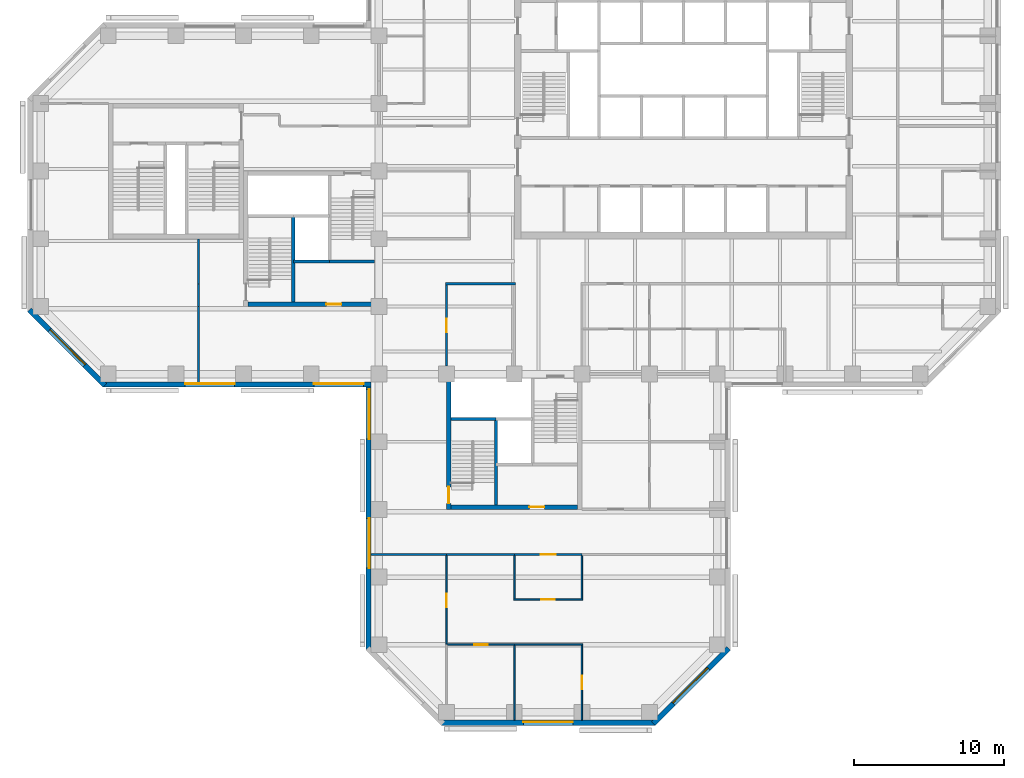
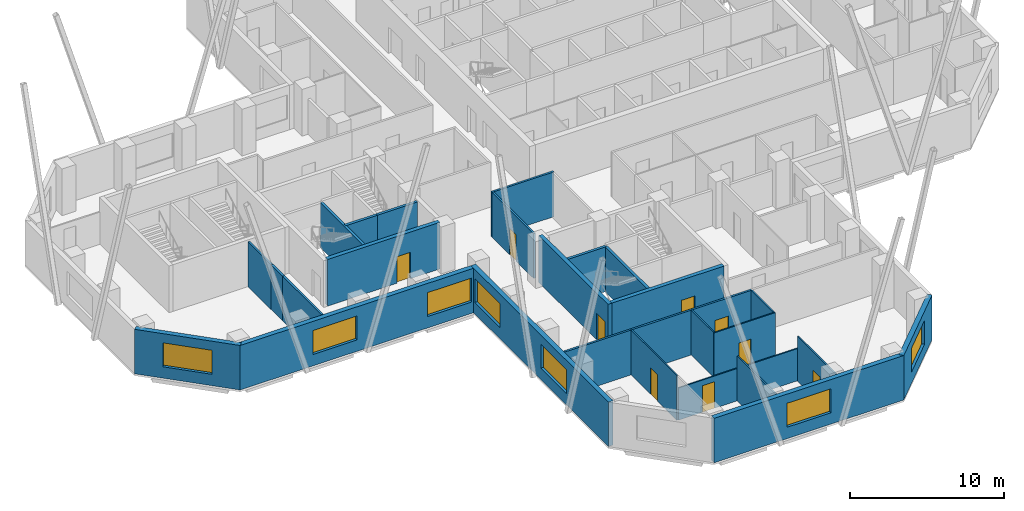
# One storey, part 3 of 11: 29 walls, 9 doors, 7 windows, 16 openings.
"""IFC4 building model written with IfcOpenShell, lengths in metres."""

from ifc_helpers import new_model, si_unit, direction, frame, frame_2d, origin, place, context, subcontext, project, spatial, rectangle, extrude, material, layer, layer_set, constituent, constituent_set, type_object, element, fill, save


model = new_model("IFC4")

# Units and contexts
model_context = context("Model", 3, precision=1e-05, world=origin(), true_north=direction((0.0, 1.0)))
body_context = subcontext(model_context, "Body", "Model", "MODEL_VIEW")
ifc_project = project(units=[si_unit("LENGTHUNIT", "METRE"), si_unit("AREAUNIT", "SQUARE_METRE"), si_unit("VOLUMEUNIT", "CUBIC_METRE"), si_unit("PLANEANGLEUNIT", "RADIAN"), si_unit("MASSUNIT", "GRAM", prefix="KILO")], contexts=[model_context])

# Site, building, storey
site_placement = place(None, origin())
site = spatial("IfcSite", under=ifc_project, at=site_placement, CompositionType="ELEMENT")
building_placement = place(site_placement, origin())
building = spatial("IfcBuilding", under=site, at=building_placement, Name="Quoin Convention Tower", CompositionType="ELEMENT")
storey_placement = place(building_placement, frame((0.0, 0.0, 112.199951171875)))
storey = spatial("IfcBuildingStorey", under=building, at=storey_placement, Name="L29", CompositionType="ELEMENT", Elevation=112.199951171875)

# Wall, opening, window
ifc_material_1 = material(Name="Brick masonry", Category="masonry")
ifc_layer_1 = layer(ifc_material_1, 0.35009765625)
ifc_layer_set_1 = layer_set([ifc_layer_1], Name="Brick masonry")
wall_type_1 = type_object("IfcWallType", Name="Brick facade wall", PredefinedType="STANDARD", material=ifc_layer_set_1)
wall_1_placement = place(storey_placement, frame((12.748779296875, 44.76123046875, 0.0), z_axis=(0.0, 0.0, 1.0), x_axis=(0.707106781187, -0.707106781187, 0.0)))
wall_1 = element("IfcWall", 1, at=wall_1_placement, inside=storey, type_object=wall_type_1, Name="fw-L29-13500_45000", PredefinedType="STANDARD", context=body_context, shape_type="SweptSolid", body=[
    extrude(rectangle(XDim=7.088623046875, YDim=0.35009765625, at=frame_2d((3.54443359375, 0.0))), origin(), (0.0, 0.0, 1.0), 3.525146484375),
])
opening_1_placement = place(wall_1_placement, frame((1.894287109375, 0.0, 0.89990234375)))
opening_1 = element("IfcOpeningElement", 2, at=opening_1_placement, cuts=wall_1, Name="Opening W-02", PredefinedType="OPENING", context=body_context, shape_type="SweptSolid", body=[
    extrude(rectangle(XDim=3.300048828125, YDim=1.89990234375, at=frame_2d((1.64990234375, 0.949951171875))), frame((0.0, 0.18505859375, 0.0), z_axis=(0.0, -1.0, 0.0), x_axis=(1.0, 0.0, 0.0)), (0.0, 0.0, 1.0), 0.3701171875),
])
ifc_material_2 = material(Name="Aluminium", Category="aluminium")
ifc_constituent_1 = constituent(ifc_material_2, Name="Frame")
ifc_material_3 = material(Name="Insulated glass", Category="glass")
ifc_constituent_2 = constituent(ifc_material_3, Name="Glazing")
ifc_constituent_set = constituent_set(constituents=[ifc_constituent_1, ifc_constituent_2], Name="Aluminium")
window_type = type_object("IfcWindowType", Name="Office window", PartitioningType="DOUBLE_PANEL_VERTICAL", PredefinedType="WINDOW", material=ifc_constituent_set)
window_1_placement = place(opening_1_placement, origin())
window_1 = element("IfcWindow", 3, at=window_1_placement, inside=storey, type_object=window_type, Name="win-L29-15255_42255", OverallHeight=1.89990234375, OverallWidth=3.300048828125, PartitioningType="SINGLE_PANEL", PredefinedType="WINDOW", context=body_context, shape_type="SweptSolid", body=[
    extrude(rectangle(XDim=3.300048828125, YDim=1.89990234375, at=frame_2d((1.64990234375, 0.949951171875))), frame((0.0, 0.0849609375, 0.0), z_axis=(0.0, -1.0, 0.0), x_axis=(1.0, 0.0, 0.0)), (0.0, 0.0, 1.0), 0.06005859375),
])
fill(opening_1, window_1)

# Wall, openings, windows
wall_2_placement = place(storey_placement, frame((17.6376953125, 39.800048828125, 0.0), z_axis=(0.0, 0.0, 1.0), x_axis=(1.0, 0.0, 0.0)))
wall_2 = element("IfcWall", 4, at=wall_2_placement, inside=storey, type_object=wall_type_1, Name="fw-L29-18000_40500", PredefinedType="STANDARD", context=body_context, shape_type="SweptSolid", body=[
    extrude(rectangle(XDim=17.83740234375, YDim=0.35009765625, at=frame_2d((8.918701171875, 0.0))), origin(), (0.0, 0.0, 1.0), 3.525146484375),
])
opening_2_placement = place(wall_2_placement, frame((5.46240234375, 0.0, 0.89990234375)))
opening_2 = element("IfcOpeningElement", 5, at=opening_2_placement, cuts=wall_2, Name="Opening W-02", PredefinedType="OPENING", context=body_context, shape_type="SweptSolid", body=[
    extrude(rectangle(XDim=3.300048828125, YDim=1.89990234375, at=frame_2d((1.64990234375, 0.949951171875))), frame((0.0, 0.18505859375, 0.0), z_axis=(0.0, -1.0, 0.0), x_axis=(1.0, 0.0, 0.0)), (0.0, 0.0, 1.0), 0.3701171875),
])
opening_3_placement = place(wall_2_placement, frame((14.037353515625, 0.0, 0.89990234375)))
opening_3 = element("IfcOpeningElement", 6, at=opening_3_placement, cuts=wall_2, Name="Opening W-02", PredefinedType="OPENING", context=body_context, shape_type="SweptSolid", body=[
    extrude(rectangle(XDim=3.300048828125, YDim=1.89990234375, at=frame_2d((1.64990234375, 0.949951171875))), frame((0.0, 0.18505859375, 0.0), z_axis=(0.0, -1.0, 0.0), x_axis=(1.0, 0.0, 0.0)), (0.0, 0.0, 1.0), 0.3701171875),
])
window_2_placement = place(opening_2_placement, origin())
window_2 = element("IfcWindow", 7, at=window_2_placement, inside=storey, type_object=window_type, Name="win-L29-24750_39800", OverallHeight=1.89990234375, OverallWidth=3.300048828125, PartitioningType="SINGLE_PANEL", PredefinedType="WINDOW", context=body_context, shape_type="SweptSolid", body=[
    extrude(rectangle(XDim=3.300048828125, YDim=1.89990234375, at=frame_2d((1.64990234375, 0.949951171875))), frame((0.0, 0.0849609375, 0.0), z_axis=(0.0, -1.0, 0.0), x_axis=(1.0, 0.0, 0.0)), (0.0, 0.0, 1.0), 0.06005859375),
])
fill(opening_2, window_2)
window_3_placement = place(opening_3_placement, origin())
window_3 = element("IfcWindow", 8, at=window_3_placement, inside=storey, type_object=window_type, Name="win-L29-33750_39800", OverallHeight=1.89990234375, OverallWidth=3.300048828125, PartitioningType="SINGLE_PANEL", PredefinedType="WINDOW", context=body_context, shape_type="SweptSolid", body=[
    extrude(rectangle(XDim=3.300048828125, YDim=1.89990234375, at=frame_2d((1.64990234375, 0.949951171875))), frame((0.0, 0.0849609375, 0.0), z_axis=(0.0, -1.0, 0.0), x_axis=(1.0, 0.0, 0.0)), (0.0, 0.0, 1.0), 0.06005859375),
])
fill(opening_3, window_3)

wall_3_placement = place(storey_placement, frame((35.300048828125, 39.97509765625, 0.0), z_axis=(0.0, 0.0, 1.0), x_axis=(0.0, -1.0, 0.0)))
wall_3 = element("IfcWall", 9, at=wall_3_placement, inside=storey, type_object=wall_type_1, Name="fw-L29-36000_40500", PredefinedType="STANDARD", context=body_context, shape_type="SweptSolid", body=[
    extrude(rectangle(XDim=17.83740234375, YDim=0.35009765625, at=frame_2d((8.918701171875, 0.0))), origin(), (0.0, 0.0, 1.0), 3.525146484375),
])
opening_4_placement = place(wall_3_placement, frame((0.5, 0.0, 0.89990234375)))
opening_4 = element("IfcOpeningElement", 10, at=opening_4_placement, cuts=wall_3, Name="Opening W-02", PredefinedType="OPENING", context=body_context, shape_type="SweptSolid", body=[
    extrude(rectangle(XDim=3.300048828125, YDim=1.89990234375, at=frame_2d((1.64990234375, 0.949951171875))), frame((0.0, 0.18505859375, 0.0), z_axis=(0.0, -1.0, 0.0), x_axis=(1.0, 0.0, 0.0)), (0.0, 0.0, 1.0), 0.3701171875),
])
opening_5_placement = place(wall_3_placement, frame((9.074951171875, 0.0, 0.89990234375)))
opening_5 = element("IfcOpeningElement", 11, at=opening_5_placement, cuts=wall_3, Name="Opening W-02", PredefinedType="OPENING", context=body_context, shape_type="SweptSolid", body=[
    extrude(rectangle(XDim=3.300048828125, YDim=1.89990234375, at=frame_2d((1.64990234375, 0.949951171875))), frame((0.0, 0.18505859375, 0.0), z_axis=(0.0, -1.0, 0.0), x_axis=(1.0, 0.0, 0.0)), (0.0, 0.0, 1.0), 0.3701171875),
])
window_4_placement = place(opening_4_placement, origin())
window_4 = element("IfcWindow", 12, at=window_4_placement, inside=storey, type_object=window_type, Name="win-L29-35300_38250", OverallHeight=1.89990234375, OverallWidth=3.300048828125, PartitioningType="SINGLE_PANEL", PredefinedType="WINDOW", context=body_context, shape_type="SweptSolid", body=[
    extrude(rectangle(XDim=3.300048828125, YDim=1.89990234375, at=frame_2d((1.64990234375, 0.949951171875))), frame((0.0, 0.0849609375, 0.0), z_axis=(0.0, -1.0, 0.0), x_axis=(1.0, 0.0, 0.0)), (0.0, 0.0, 1.0), 0.06005859375),
])
fill(opening_4, window_4)
window_5_placement = place(opening_5_placement, origin())
window_5 = element("IfcWindow", 13, at=window_5_placement, inside=storey, type_object=window_type, Name="win-L29-35300_29250", OverallHeight=1.89990234375, OverallWidth=3.300048828125, PartitioningType="SINGLE_PANEL", PredefinedType="WINDOW", context=body_context, shape_type="SweptSolid", body=[
    extrude(rectangle(XDim=3.300048828125, YDim=1.89990234375, at=frame_2d((1.64990234375, 0.949951171875))), frame((0.0, 0.0849609375, 0.0), z_axis=(0.0, -1.0, 0.0), x_axis=(1.0, 0.0, 0.0)), (0.0, 0.0, 1.0), 0.06005859375),
])
fill(opening_5, window_5)

# Wall, opening, window
wall_4_placement = place(storey_placement, frame((40.1376953125, 17.300048828125, 0.0), z_axis=(0.0, 0.0, 1.0), x_axis=(1.0, 0.0, 0.0)))
wall_4 = element("IfcWall", 14, at=wall_4_placement, inside=storey, type_object=wall_type_1, Name="fw-L29-40500_18000", PredefinedType="STANDARD", context=body_context, shape_type="SweptSolid", body=[
    extrude(rectangle(XDim=14.224609375, YDim=0.35009765625, at=frame_2d((7.1123046875, 0.0))), origin(), (0.0, 0.0, 1.0), 3.525146484375),
])
opening_6_placement = place(wall_4_placement, frame((5.46240234375, 0.0, 0.89990234375)))
opening_6 = element("IfcOpeningElement", 15, at=opening_6_placement, cuts=wall_4, Name="Opening W-02", PredefinedType="OPENING", context=body_context, shape_type="SweptSolid", body=[
    extrude(rectangle(XDim=3.300048828125, YDim=1.89990234375, at=frame_2d((1.64990234375, 0.949951171875))), frame((0.0, 0.18505859375, 0.0), z_axis=(0.0, -1.0, 0.0), x_axis=(1.0, 0.0, 0.0)), (0.0, 0.0, 1.0), 0.3701171875),
])
window_6_placement = place(opening_6_placement, origin())
window_6 = element("IfcWindow", 16, at=window_6_placement, inside=storey, type_object=window_type, Name="win-L29-47250_17300", OverallHeight=1.89990234375, OverallWidth=3.300048828125, PartitioningType="SINGLE_PANEL", PredefinedType="WINDOW", context=body_context, shape_type="SweptSolid", body=[
    extrude(rectangle(XDim=3.300048828125, YDim=1.89990234375, at=frame_2d((1.64990234375, 0.949951171875))), frame((0.0, 0.0849609375, 0.0), z_axis=(0.0, -1.0, 0.0), x_axis=(1.0, 0.0, 0.0)), (0.0, 0.0, 1.0), 0.06005859375),
])
fill(opening_6, window_6)

wall_5_placement = place(storey_placement, frame((54.23876953125, 17.248779296875, 0.0), z_axis=(0.0, 0.0, 1.0), x_axis=(0.707106781187, 0.707106781187, 0.0)))
wall_5 = element("IfcWall", 17, at=wall_5_placement, inside=storey, type_object=wall_type_1, Name="fw-L29-54000_18000", PredefinedType="STANDARD", context=body_context, shape_type="SweptSolid", body=[
    extrude(rectangle(XDim=7.088623046875, YDim=0.35009765625, at=frame_2d((3.54443359375, 0.0))), origin(), (0.0, 0.0, 1.0), 3.525146484375),
])
opening_7_placement = place(wall_5_placement, frame((1.894287109375, 0.0, 0.89990234375)))
opening_7 = element("IfcOpeningElement", 18, at=opening_7_placement, cuts=wall_5, Name="Opening W-02", PredefinedType="OPENING", context=body_context, shape_type="SweptSolid", body=[
    extrude(rectangle(XDim=3.300048828125, YDim=1.89990234375, at=frame_2d((1.64990234375, 0.949951171875))), frame((0.0, 0.18505859375, 0.0), z_axis=(0.0, -1.0, 0.0), x_axis=(1.0, 0.0, 0.0)), (0.0, 0.0, 1.0), 0.3701171875),
])
window_7_placement = place(opening_7_placement, origin())
window_7 = element("IfcWindow", 19, at=window_7_placement, inside=storey, type_object=window_type, Name="win-L29-56745_19755", OverallHeight=1.89990234375, OverallWidth=3.300048828125, PartitioningType="SINGLE_PANEL", PredefinedType="WINDOW", context=body_context, shape_type="SweptSolid", body=[
    extrude(rectangle(XDim=3.300048828125, YDim=1.89990234375, at=frame_2d((1.64990234375, 0.949951171875))), frame((0.0, 0.0849609375, 0.0), z_axis=(0.0, -1.0, 0.0), x_axis=(1.0, 0.0, 0.0)), (0.0, 0.0, 1.0), 0.06005859375),
])
fill(opening_7, window_7)

# Walls
ifc_material_4 = material(Name="Concrete C50", Category="concrete")
ifc_layer_2 = layer(ifc_material_4, 0.199951171875)
ifc_layer_set_2 = layer_set([ifc_layer_2], Name="Concrete C50")
wall_type_2 = type_object("IfcWallType", Name="Core shaft wall", PredefinedType="SOLIDWALL", material=ifc_layer_set_2)
wall_6_placement = place(storey_placement, frame((30.300048828125, 48.0, 0.0), z_axis=(0.0, 0.0, 1.0), x_axis=(1.0, 0.0, 0.0)))
element("IfcWall", 20, at=wall_6_placement, inside=storey, type_object=wall_type_2, Name="cr-P2-L29-h3000_3300", PredefinedType="SOLIDWALL", context=body_context, shape_type="SweptSolid", body=[
    extrude(rectangle(XDim=2.39990234375, YDim=0.199951171875, at=frame_2d((1.199951171875, 0.0))), origin(), (0.0, 0.0, 1.0), 3.550048828125),
])
wall_7_placement = place(storey_placement, frame((32.699951171875, 48.0, 0.0), z_axis=(0.0, 0.0, 1.0), x_axis=(1.0, 0.0, 0.0)))
element("IfcWall", 21, at=wall_7_placement, inside=storey, type_object=wall_type_2, Name="cr-P2-L29-h3000_5700", PredefinedType="SOLIDWALL", context=body_context, shape_type="SweptSolid", body=[
    extrude(rectangle(XDim=3.0, YDim=0.199951171875, at=frame_2d((1.5, 0.0))), origin(), (0.0, 0.0, 1.0), 3.550048828125),
])
wall_8_placement = place(storey_placement, frame((30.300048828125, 45.300048828125, 0.0), z_axis=(0.0, 0.0, 1.0), x_axis=(0.0, 1.0, 0.0)))
element("IfcWall", 22, at=wall_8_placement, inside=storey, type_object=wall_type_2, Name="cr-P2-L29-v3300_300", PredefinedType="SOLIDWALL", context=body_context, shape_type="SweptSolid", body=[
    extrude(rectangle(XDim=5.699951171875, YDim=0.199951171875, at=frame_2d((2.85009765625, 0.0))), origin(), (0.0, 0.0, 1.0), 3.550048828125),
])
wall_9_placement = place(storey_placement, frame((40.800048828125, 37.5, 0.0), z_axis=(0.0, 0.0, 1.0), x_axis=(1.0, 0.0, 0.0)))
element("IfcWall", 23, at=wall_9_placement, inside=storey, type_object=wall_type_2, Name="cr-P3-L29-h6000_300", PredefinedType="SOLIDWALL", context=body_context, shape_type="SweptSolid", body=[
    extrude(rectangle(XDim=3.0, YDim=0.199951171875, at=frame_2d((1.5, 0.0))), origin(), (0.0, 0.0, 1.0), 3.550048828125),
])
wall_10_placement = place(storey_placement, frame((43.800048828125, 31.800048828125, 0.0), z_axis=(0.0, 0.0, 1.0), x_axis=(0.0, 1.0, 0.0)))
element("IfcWall", 24, at=wall_10_placement, inside=storey, type_object=wall_type_2, Name="cr-P3-L29-v3300_300", PredefinedType="SOLIDWALL", context=body_context, shape_type="SweptSolid", body=[
    extrude(rectangle(XDim=5.699951171875, YDim=0.199951171875, at=frame_2d((2.85009765625, 0.0))), origin(), (0.0, 0.0, 1.0), 3.550048828125),
])
ifc_material_5 = material(Name="Plasterboard")
ifc_layer_3 = layer(ifc_material_5, 0.012451171875, Name="Finish")
ifc_material_6 = material(Name="Steel stud framing", Category="steel")
ifc_layer_4 = layer(ifc_material_6, 0.125, Name="Structure")
ifc_layer_5 = layer(ifc_material_5, 0.012451171875, Name="Finish")
ifc_layer_set_3 = layer_set([ifc_layer_3, ifc_layer_4, ifc_layer_5], Name="Steel stud framing")
wall_type_3 = type_object("IfcWallType", Name="Corridor wall 150", PredefinedType="PARTITIONING", material=ifc_layer_set_3)
wall_11_placement = place(storey_placement, frame((35.47509765625, 28.5, 0.0), z_axis=(0.0, 0.0, 1.0), x_axis=(1.0, 0.0, 0.0)))
element("IfcWall", 25, at=wall_11_placement, inside=storey, type_object=wall_type_3, Name="pw-L29-004", PredefinedType="PARTITIONING", context=body_context, shape_type="SweptSolid", body=[
    extrude(rectangle(XDim=5.02490234375, YDim=0.14990234375, at=frame_2d((2.512451171875, 0.0))), origin(), (0.0, 0.0, 1.0), 3.550048828125),
])
wall_12_placement = place(storey_placement, frame((40.5, 28.5, 0.0), z_axis=(0.0, 0.0, 1.0), x_axis=(1.0, 0.0, 0.0)))
element("IfcWall", 26, at=wall_12_placement, inside=storey, type_object=wall_type_3, Name="pw-L29-005", PredefinedType="PARTITIONING", context=body_context, shape_type="SweptSolid", body=[
    extrude(rectangle(XDim=4.5, YDim=0.14990234375, at=frame_2d((2.25, 0.0))), origin(), (0.0, 0.0, 1.0), 3.550048828125),
])

# Wall, opening, door
wall_13_placement = place(storey_placement, frame((45.0, 28.5, 0.0), z_axis=(0.0, 0.0, 1.0), x_axis=(1.0, 0.0, 0.0)))
wall_13 = element("IfcWall", 27, at=wall_13_placement, inside=storey, type_object=wall_type_3, Name="pw-L29-006", PredefinedType="PARTITIONING", context=body_context, shape_type="SweptSolid", body=[
    extrude(rectangle(XDim=4.5, YDim=0.14990234375, at=frame_2d((2.25, 0.0))), origin(), (0.0, 0.0, 1.0), 3.550048828125),
])
opening_8_placement = place(wall_13_placement, frame((1.75, 0.0, 0.0)))
opening_8 = element("IfcOpeningElement", 28, at=opening_8_placement, cuts=wall_13, Name="Opening DOL5-03", PredefinedType="OPENING", context=body_context, shape_type="SweptSolid", body=[
    extrude(rectangle(XDim=1.0, YDim=2.10009765625, at=frame_2d((0.5, 1.050048828125))), frame((0.0, 0.0849609375, 0.0), z_axis=(0.0, -1.0, 0.0), x_axis=(1.0, 0.0, 0.0)), (0.0, 0.0, 1.0), 0.169921875),
])
ifc_material_7 = material(Name="Steel door leaf", Category="steel")
door_type_1 = type_object("IfcDoorType", Name="Tenancy entrance door 1000 x 2100", OperationType="DOUBLE_DOOR_SINGLE_SWING", PredefinedType="DOOR", material=ifc_material_7)
door_1_placement = place(opening_8_placement, frame((1.0, 0.0, 0.0), z_axis=(0.0, 0.0, 1.0), x_axis=(-1.0, 0.0, 0.0)))
door_1 = element("IfcDoor", 29, at=door_1_placement, inside=storey, type_object=door_type_1, Name="dr-L29-14", OperationType="DOUBLE_DOOR_SINGLE_SWING", OverallHeight=2.10009765625, OverallWidth=1.0, PredefinedType="DOOR", context=body_context, shape_type="SweptSolid", body=[
    extrude(rectangle(XDim=1.0, YDim=2.10009765625, at=frame_2d((0.5, 1.050048828125))), frame((0.0, 0.02490234375, 0.0), z_axis=(0.0, -1.0, 0.0), x_axis=(1.0, 0.0, 0.0)), (0.0, 0.0, 1.0), 0.050048828125),
])
fill(opening_8, door_1)

# Walls
wall_14_placement = place(storey_placement, frame((40.425048828125, 46.5, 0.0), z_axis=(0.0, 0.0, 1.0), x_axis=(1.0, 0.0, 0.0)))
element("IfcWall", 30, at=wall_14_placement, inside=storey, type_object=wall_type_3, Name="pw-L29-020", PredefinedType="PARTITIONING", context=body_context, shape_type="SweptSolid", body=[
    extrude(rectangle(XDim=4.64990234375, YDim=0.14990234375, at=frame_2d((2.324951171875, 0.0))), origin(), (0.0, 0.0, 1.0), 3.550048828125),
])
wall_15_placement = place(storey_placement, frame((24.0, 39.97509765625, 0.0), z_axis=(0.0, 0.0, 1.0), x_axis=(0.0, 1.0, 0.0)))
element("IfcWall", 31, at=wall_15_placement, inside=storey, type_object=wall_type_3, Name="pw-L29-071", PredefinedType="PARTITIONING", context=body_context, shape_type="SweptSolid", body=[
    extrude(rectangle(XDim=5.02490234375, YDim=0.14990234375, at=frame_2d((2.512451171875, 0.0))), origin(), (0.0, 0.0, 1.0), 3.550048828125),
])

# Wall, opening, door
wall_16_placement = place(storey_placement, frame((40.5, 41.02490234375, 0.0), z_axis=(0.0, 0.0, 1.0), x_axis=(0.0, 1.0, 0.0)))
wall_16 = element("IfcWall", 32, at=wall_16_placement, inside=storey, type_object=wall_type_3, Name="pw-L29-073", PredefinedType="PARTITIONING", context=body_context, shape_type="SweptSolid", body=[
    extrude(rectangle(XDim=5.400146484375, YDim=0.14990234375, at=frame_2d((2.7001953125, 0.0))), origin(), (0.0, 0.0, 1.0), 3.550048828125),
])
opening_9_placement = place(wall_16_placement, frame((2.25, 0.0, 0.0)))
opening_9 = element("IfcOpeningElement", 33, at=opening_9_placement, cuts=wall_16, Name="Opening DOL5-28", PredefinedType="OPENING", context=body_context, shape_type="SweptSolid", body=[
    extrude(rectangle(XDim=0.89990234375, YDim=2.10009765625, at=frame_2d((0.449951171875, 1.050048828125))), frame((0.0, 0.0849609375, 0.0), z_axis=(0.0, -1.0, 0.0), x_axis=(1.0, 0.0, 0.0)), (0.0, 0.0, 1.0), 0.169921875),
])
door_type_2 = type_object("IfcDoorType", Name="Office door 900 x 2100", OperationType="SINGLE_SWING_RIGHT", PredefinedType="DOOR", material=ifc_material_7)
door_2_placement = place(opening_9_placement, frame((0.89990234375, 0.0, 0.0), z_axis=(0.0, 0.0, 1.0), x_axis=(-1.0, 0.0, 0.0)))
door_2 = element("IfcDoor", 34, at=door_2_placement, inside=storey, type_object=door_type_2, Name="dr-L29-02", OperationType="SINGLE_SWING_LEFT", OverallHeight=2.10009765625, OverallWidth=0.89990234375, PredefinedType="DOOR", context=body_context, shape_type="SweptSolid", body=[
    extrude(rectangle(XDim=0.89990234375, YDim=2.10009765625, at=frame_2d((0.449951171875, 1.050048828125))), frame((0.0, 0.02490234375, 0.0), z_axis=(0.0, -1.0, 0.0), x_axis=(1.0, 0.0, 0.0)), (0.0, 0.0, 1.0), 0.050048828125),
])
fill(opening_9, door_2)

# Walls
wall_17_placement = place(storey_placement, frame((24.0, 45.0, 0.0), z_axis=(0.0, 0.0, 1.0), x_axis=(0.0, 1.0, 0.0)))
element("IfcWall", 35, at=wall_17_placement, inside=storey, type_object=wall_type_3, Name="pw-L29-081", PredefinedType="PARTITIONING", context=body_context, shape_type="SweptSolid", body=[
    extrude(rectangle(XDim=1.5, YDim=0.14990234375, at=frame_2d((0.75, 0.0))), origin(), (0.0, 0.0, 1.0), 3.550048828125),
])
wall_18_placement = place(storey_placement, frame((24.0, 46.5, 0.0), z_axis=(0.0, 0.0, 1.0), x_axis=(0.0, 1.0, 0.0)))
element("IfcWall", 36, at=wall_18_placement, inside=storey, type_object=wall_type_3, Name="pw-L29-083", PredefinedType="PARTITIONING", context=body_context, shape_type="SweptSolid", body=[
    extrude(rectangle(XDim=3.0, YDim=0.14990234375, at=frame_2d((1.5, 0.0))), origin(), (0.0, 0.0, 1.0), 3.550048828125),
])

# Wall, opening, door
ifc_material_8 = material(Name="Concrete C65", Category="concrete")
ifc_layer_6 = layer(ifc_material_8, 0.300048828125)
ifc_layer_set_4 = layer_set([ifc_layer_6], Name="Concrete C65")
wall_type_4 = type_object("IfcWallType", Name="RC CORE WALL 300 C65", PredefinedType="SHEAR", material=ifc_layer_set_4)
wall_19_placement = place(storey_placement, frame((27.300048828125, 45.14990234375, 0.0), z_axis=(0.0, 0.0, 1.0), x_axis=(1.0, 0.0, 0.0)))
wall_19 = element("IfcWall", 37, at=wall_19_placement, inside=storey, type_object=wall_type_4, Name="cwl-P2-L29-S", PredefinedType="SHEAR", context=body_context, shape_type="SweptSolid", body=[
    extrude(rectangle(XDim=8.39990234375, YDim=0.300048828125, at=frame_2d((4.199951171875, 0.0))), origin(), (0.0, 0.0, 1.0), 3.699951171875),
])
opening_10_placement = place(wall_19_placement, frame((5.199951171875, 0.0, 0.0)))
opening_10 = element("IfcOpeningElement", 38, at=opening_10_placement, cuts=wall_19, Name="Opening DCV4-42", PredefinedType="OPENING", context=body_context, shape_type="SweptSolid", body=[
    extrude(rectangle(XDim=1.0, YDim=2.10009765625, at=frame_2d((0.5, 1.050048828125))), frame((0.0, 0.159912109375, 0.0), z_axis=(0.0, -1.0, 0.0), x_axis=(1.0, 0.0, 0.0)), (0.0, 0.0, 1.0), 0.320068359375),
])
door_type_3 = type_object("IfcDoorType", Name="Service door 1000 x 2100", OperationType="SINGLE_SWING_LEFT", PredefinedType="DOOR", material=ifc_material_7)
door_3_placement = place(opening_10_placement, origin())
door_3 = element("IfcDoor", 39, at=door_3_placement, inside=storey, type_object=door_type_3, Name="cd-P2-L29-R2-S", OperationType="SINGLE_SWING_LEFT", OverallHeight=2.10009765625, OverallWidth=1.0, PredefinedType="DOOR", context=body_context, shape_type="SweptSolid", body=[
    extrude(rectangle(XDim=1.0, YDim=2.10009765625, at=frame_2d((0.5, 1.050048828125))), frame((0.0, 0.02490234375, 0.0), z_axis=(0.0, -1.0, 0.0), x_axis=(1.0, 0.0, 0.0)), (0.0, 0.0, 1.0), 0.050048828125),
])
fill(opening_10, door_3)

wall_20_placement = place(storey_placement, frame((40.800048828125, 31.64990234375, 0.0), z_axis=(0.0, 0.0, 1.0), x_axis=(1.0, 0.0, 0.0)))
wall_20 = element("IfcWall", 40, at=wall_20_placement, inside=storey, type_object=wall_type_4, Name="cwl-P3-L29-S", PredefinedType="SHEAR", context=body_context, shape_type="SweptSolid", body=[
    extrude(rectangle(XDim=8.39990234375, YDim=0.300048828125, at=frame_2d((4.199951171875, 0.0))), origin(), (0.0, 0.0, 1.0), 3.699951171875),
])
opening_11_placement = place(wall_20_placement, frame((5.199951171875, 0.0, 0.0)))
opening_11 = element("IfcOpeningElement", 41, at=opening_11_placement, cuts=wall_20, Name="Opening DCV4-43", PredefinedType="OPENING", context=body_context, shape_type="SweptSolid", body=[
    extrude(rectangle(XDim=1.0, YDim=2.10009765625, at=frame_2d((0.5, 1.050048828125))), frame((0.0, 0.159912109375, 0.0), z_axis=(0.0, -1.0, 0.0), x_axis=(1.0, 0.0, 0.0)), (0.0, 0.0, 1.0), 0.320068359375),
])
door_4_placement = place(opening_11_placement, origin())
door_4 = element("IfcDoor", 42, at=door_4_placement, inside=storey, type_object=door_type_3, Name="cd-P3-L29-R2-S", OperationType="SINGLE_SWING_LEFT", OverallHeight=2.10009765625, OverallWidth=1.0, PredefinedType="DOOR", context=body_context, shape_type="SweptSolid", body=[
    extrude(rectangle(XDim=1.0, YDim=2.10009765625, at=frame_2d((0.5, 1.050048828125))), frame((0.0, 0.02490234375, 0.0), z_axis=(0.0, -1.0, 0.0), x_axis=(1.0, 0.0, 0.0)), (0.0, 0.0, 1.0), 0.050048828125),
])
fill(opening_11, door_4)

wall_21_placement = place(storey_placement, frame((40.64990234375, 31.5, 0.0), z_axis=(0.0, 0.0, 1.0), x_axis=(0.0, 1.0, 0.0)))
wall_21 = element("IfcWall", 43, at=wall_21_placement, inside=storey, type_object=wall_type_4, Name="cwl-P3-L29-W", PredefinedType="SHEAR", context=body_context, shape_type="SweptSolid", body=[
    extrude(rectangle(XDim=9.0, YDim=0.300048828125, at=frame_2d((4.5, 0.0))), origin(), (0.0, 0.0, 1.0), 3.699951171875),
])
opening_12_placement = place(wall_21_placement, frame((0.39990234375, 0.0, 0.0)))
opening_12 = element("IfcOpeningElement", 44, at=opening_12_placement, cuts=wall_21, Name="Opening SD5", PredefinedType="OPENING", context=body_context, shape_type="SweptSolid", body=[
    extrude(rectangle(XDim=1.10009765625, YDim=2.10009765625, at=frame_2d((0.550048828125, 1.050048828125))), frame((0.0, 0.159912109375, 0.0), z_axis=(0.0, -1.0, 0.0), x_axis=(1.0, 0.0, 0.0)), (0.0, 0.0, 1.0), 0.320068359375),
])
door_type_4 = type_object("IfcDoorType", Name="Stair door 1100 x 2100", OperationType="SINGLE_SWING_RIGHT", PredefinedType="DOOR", material=ifc_material_7)
door_5_placement = place(opening_12_placement, frame((1.10009765625, 0.0, 0.0), z_axis=(0.0, 0.0, 1.0), x_axis=(-1.0, 0.0, 0.0)))
door_5 = element("IfcDoor", 45, at=door_5_placement, inside=storey, type_object=door_type_4, Name="cd-P3-L29-SA-W", OperationType="SINGLE_SWING_RIGHT", OverallHeight=2.10009765625, OverallWidth=1.10009765625, PredefinedType="DOOR", context=body_context, shape_type="SweptSolid", body=[
    extrude(rectangle(XDim=1.10009765625, YDim=2.10009765625, at=frame_2d((0.550048828125, 1.050048828125))), frame((0.0, 0.02490234375, 0.0), z_axis=(0.0, -1.0, 0.0), x_axis=(1.0, 0.0, 0.0)), (0.0, 0.0, 1.0), 0.050048828125),
])
fill(opening_12, door_5)

ifc_layer_7 = layer(ifc_material_5, 0.012451171875, Name="Finish")
ifc_layer_8 = layer(ifc_material_6, 0.074951171875, Name="Structure")
ifc_layer_9 = layer(ifc_material_5, 0.012451171875, Name="Finish")
ifc_layer_set_5 = layer_set([ifc_layer_7, ifc_layer_8, ifc_layer_9], Name="Steel stud framing")
wall_type_5 = type_object("IfcWallType", Name="Stud partition 100", PredefinedType="PARTITIONING", material=ifc_layer_set_5)
wall_22_placement = place(storey_placement, frame((44.949951171875, 25.5, 0.0), z_axis=(0.0, 0.0, 1.0), x_axis=(1.0, 0.0, 0.0)))
wall_22 = element("IfcWall", 46, at=wall_22_placement, inside=storey, type_object=wall_type_5, Name="pw-L29-003", PredefinedType="PARTITIONING", context=body_context, shape_type="SweptSolid", body=[
    extrude(rectangle(XDim=4.60009765625, YDim=0.10009765625, at=frame_2d((2.300048828125, 0.0))), origin(), (0.0, 0.0, 1.0), 3.550048828125),
])
opening_13_placement = place(wall_22_placement, frame((1.85009765625, 0.0, 0.0)))
opening_13 = element("IfcOpeningElement", 47, at=opening_13_placement, cuts=wall_22, Name="Opening DOL5-02", PredefinedType="OPENING", context=body_context, shape_type="SweptSolid", body=[
    extrude(rectangle(XDim=0.89990234375, YDim=2.10009765625, at=frame_2d((0.449951171875, 1.050048828125))), frame((0.0, 0.06005859375, 0.0), z_axis=(0.0, -1.0, 0.0), x_axis=(1.0, 0.0, 0.0)), (0.0, 0.0, 1.0), 0.1201171875),
])
door_6_placement = place(opening_13_placement, frame((0.89990234375, 0.0, 0.0), z_axis=(0.0, 0.0, 1.0), x_axis=(-1.0, 0.0, 0.0)))
door_6 = element("IfcDoor", 48, at=door_6_placement, inside=storey, type_object=door_type_2, Name="dr-L29-15", OperationType="SINGLE_SWING_LEFT", OverallHeight=2.10009765625, OverallWidth=0.89990234375, PredefinedType="DOOR", context=body_context, shape_type="SweptSolid", body=[
    extrude(rectangle(XDim=0.89990234375, YDim=2.10009765625, at=frame_2d((0.449951171875, 1.050048828125))), frame((0.0, 0.02490234375, 0.0), z_axis=(0.0, -1.0, 0.0), x_axis=(1.0, 0.0, 0.0)), (0.0, 0.0, 1.0), 0.050048828125),
])
fill(opening_13, door_6)

# Wall
wall_23_placement = place(storey_placement, frame((45.0, 17.47509765625, 0.0), z_axis=(0.0, 0.0, 1.0), x_axis=(0.0, 1.0, 0.0)))
element("IfcWall", 49, at=wall_23_placement, inside=storey, type_object=wall_type_5, Name="pw-L29-063", PredefinedType="PARTITIONING", context=body_context, shape_type="SweptSolid", body=[
    extrude(rectangle(XDim=4.974853515625, YDim=0.10009765625, at=frame_2d((2.4873046875, 0.0))), origin(), (0.0, 0.0, 1.0), 3.550048828125),
])

# Wall, opening, door
wall_24_placement = place(storey_placement, frame((49.5, 17.47509765625, 0.0), z_axis=(0.0, 0.0, 1.0), x_axis=(0.0, 1.0, 0.0)))
wall_24 = element("IfcWall", 50, at=wall_24_placement, inside=storey, type_object=wall_type_5, Name="pw-L29-064", PredefinedType="PARTITIONING", context=body_context, shape_type="SweptSolid", body=[
    extrude(rectangle(XDim=4.974853515625, YDim=0.10009765625, at=frame_2d((2.4873046875, 0.0))), origin(), (0.0, 0.0, 1.0), 3.550048828125),
])
opening_14_placement = place(wall_24_placement, frame((2.050048828125, 0.0, 0.0)))
opening_14 = element("IfcOpeningElement", 51, at=opening_14_placement, cuts=wall_24, Name="Opening DOL5-24", PredefinedType="OPENING", context=body_context, shape_type="SweptSolid", body=[
    extrude(rectangle(XDim=0.89990234375, YDim=2.10009765625, at=frame_2d((0.449951171875, 1.050048828125))), frame((0.0, 0.06005859375, 0.0), z_axis=(0.0, -1.0, 0.0), x_axis=(1.0, 0.0, 0.0)), (0.0, 0.0, 1.0), 0.1201171875),
])
door_7_placement = place(opening_14_placement, frame((0.89990234375, 0.0, 0.0), z_axis=(0.0, 0.0, 1.0), x_axis=(-1.0, 0.0, 0.0)))
door_7 = element("IfcDoor", 52, at=door_7_placement, inside=storey, type_object=door_type_2, Name="dr-L29-18", OperationType="SINGLE_SWING_LEFT", OverallHeight=2.10009765625, OverallWidth=0.89990234375, PredefinedType="DOOR", context=body_context, shape_type="SweptSolid", body=[
    extrude(rectangle(XDim=0.89990234375, YDim=2.10009765625, at=frame_2d((0.449951171875, 1.050048828125))), frame((0.0, 0.02490234375, 0.0), z_axis=(0.0, -1.0, 0.0), x_axis=(1.0, 0.0, 0.0)), (0.0, 0.0, 1.0), 0.050048828125),
])
fill(opening_14, door_7)

wall_25_placement = place(storey_placement, frame((40.5, 22.5, 0.0), z_axis=(0.0, 0.0, 1.0), x_axis=(0.0, 1.0, 0.0)))
wall_25 = element("IfcWall", 53, at=wall_25_placement, inside=storey, type_object=wall_type_5, Name="pw-L29-066", PredefinedType="PARTITIONING", context=body_context, shape_type="SweptSolid", body=[
    extrude(rectangle(XDim=5.925048828125, YDim=0.10009765625, at=frame_2d((2.96240234375, 0.0))), origin(), (0.0, 0.0, 1.0), 3.550048828125),
])
opening_15_placement = place(wall_25_placement, frame((2.5, 0.0, 0.0)))
opening_15 = element("IfcOpeningElement", 54, at=opening_15_placement, cuts=wall_25, Name="Opening DOL5-25", PredefinedType="OPENING", context=body_context, shape_type="SweptSolid", body=[
    extrude(rectangle(XDim=0.89990234375, YDim=2.10009765625, at=frame_2d((0.449951171875, 1.050048828125))), frame((0.0, 0.06005859375, 0.0), z_axis=(0.0, -1.0, 0.0), x_axis=(1.0, 0.0, 0.0)), (0.0, 0.0, 1.0), 0.1201171875),
])
door_8_placement = place(opening_15_placement, frame((0.89990234375, 0.0, 0.0), z_axis=(0.0, 0.0, 1.0), x_axis=(-1.0, 0.0, 0.0)))
door_8 = element("IfcDoor", 55, at=door_8_placement, inside=storey, type_object=door_type_2, Name="dr-L29-16", OperationType="SINGLE_SWING_RIGHT", OverallHeight=2.10009765625, OverallWidth=0.89990234375, PredefinedType="DOOR", context=body_context, shape_type="SweptSolid", body=[
    extrude(rectangle(XDim=0.89990234375, YDim=2.10009765625, at=frame_2d((0.449951171875, 1.050048828125))), frame((0.0, 0.02490234375, 0.0), z_axis=(0.0, -1.0, 0.0), x_axis=(1.0, 0.0, 0.0)), (0.0, 0.0, 1.0), 0.050048828125),
])
fill(opening_15, door_8)

# Walls
for number, where, z_axis, x_axis, name in (
    (56, (45.0, 25.550048828125, 0.0), (0.0, 0.0, 1.0), (0.0, 1.0, 0.0), "pw-L29-067"),
    (57, (49.5, 25.550048828125, 0.0), (0.0, 0.0, 1.0), (0.0, 1.0, 0.0), "pw-L29-068"),
):
    element("IfcWall", number, at=place(storey_placement, frame(where, z_axis=z_axis, x_axis=x_axis)), inside=storey, type_object=wall_type_5, Name=name, PredefinedType="PARTITIONING", context=body_context, shape_type="SweptSolid", body=[
        extrude(rectangle(XDim=2.875, YDim=0.10009765625, at=frame_2d((1.4375, 0.0))), origin(), (0.0, 0.0, 1.0), 3.550048828125),
    ])

# Wall, opening, door
ifc_layer_10 = layer(ifc_material_5, 0.012451171875, Name="Finish")
ifc_layer_11 = layer(ifc_material_6, 0.074951171875, Name="Structure")
ifc_layer_12 = layer(ifc_material_5, 0.012451171875, Name="Finish")
ifc_layer_set_6 = layer_set([ifc_layer_10, ifc_layer_11, ifc_layer_12], Name="Steel stud framing")
wall_type_6 = type_object("IfcWallType", Name="Stud partition 100 under beam 1000", PredefinedType="PARTITIONING", material=ifc_layer_set_6)
wall_26_placement = place(storey_placement, frame((40.550048828125, 22.5, 0.0), z_axis=(0.0, 0.0, 1.0), x_axis=(1.0, 0.0, 0.0)))
wall_26 = element("IfcWall", 58, at=wall_26_placement, inside=storey, type_object=wall_type_6, Name="pw-L29-001", PredefinedType="PARTITIONING", context=body_context, shape_type="SweptSolid", body=[
    extrude(rectangle(XDim=4.449951171875, YDim=0.10009765625, at=frame_2d((2.22509765625, 0.0))), origin(), (0.0, 0.0, 1.0), 2.550048828125),
])
opening_16_placement = place(wall_26_placement, frame((1.800048828125, 0.0, 0.0)))
opening_16 = element("IfcOpeningElement", 59, at=opening_16_placement, cuts=wall_26, Name="Opening DOL5-01", PredefinedType="OPENING", context=body_context, shape_type="SweptSolid", body=[
    extrude(rectangle(XDim=0.89990234375, YDim=2.10009765625, at=frame_2d((0.449951171875, 1.050048828125))), frame((0.0, 0.06005859375, 0.0), z_axis=(0.0, -1.0, 0.0), x_axis=(1.0, 0.0, 0.0)), (0.0, 0.0, 1.0), 0.1201171875),
])
door_9_placement = place(opening_16_placement, origin())
door_9 = element("IfcDoor", 60, at=door_9_placement, inside=storey, type_object=door_type_2, Name="dr-L29-17", OperationType="SINGLE_SWING_RIGHT", OverallHeight=2.10009765625, OverallWidth=0.89990234375, PredefinedType="DOOR", context=body_context, shape_type="SweptSolid", body=[
    extrude(rectangle(XDim=0.89990234375, YDim=2.10009765625, at=frame_2d((0.449951171875, 1.050048828125))), frame((0.0, 0.02490234375, 0.0), z_axis=(0.0, -1.0, 0.0), x_axis=(1.0, 0.0, 0.0)), (0.0, 0.0, 1.0), 0.050048828125),
])
fill(opening_16, door_9)

# Wall
wall_27_placement = place(storey_placement, frame((45.0, 22.5, 0.0), z_axis=(0.0, 0.0, 1.0), x_axis=(1.0, 0.0, 0.0)))
element("IfcWall", 61, at=wall_27_placement, inside=storey, type_object=wall_type_6, Name="pw-L29-002", PredefinedType="PARTITIONING", context=body_context, shape_type="SweptSolid", body=[
    extrude(rectangle(XDim=4.550048828125, YDim=0.10009765625, at=frame_2d((2.27490234375, 0.0))), origin(), (0.0, 0.0, 1.0), 2.550048828125),
])

save(model, "model.ifc")
